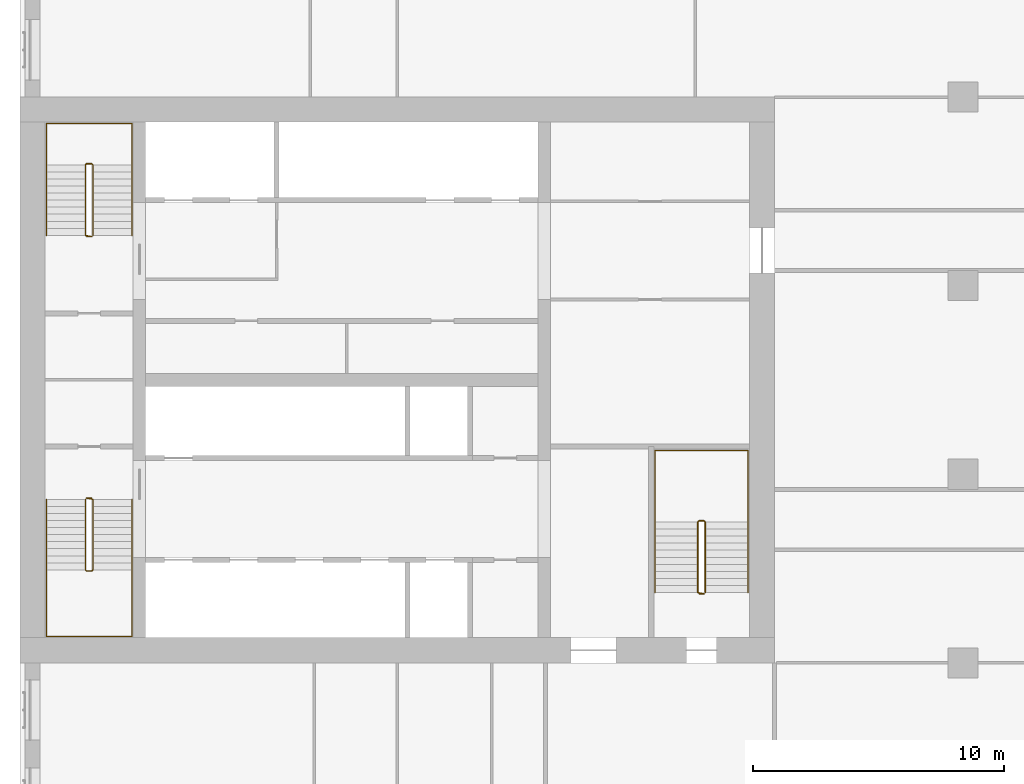
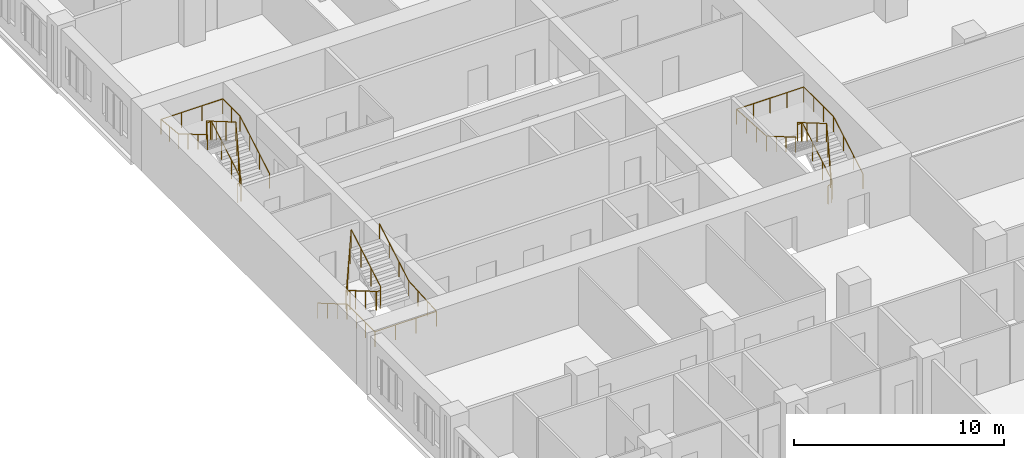
# One storey, part 14 of 14: 6 railings.
"""IFC4 building model written with IfcOpenShell, lengths in metres."""

from ifc_helpers import new_model, si_unit, direction, frame, origin, origin_2d, place, context, subcontext, project, spatial, circle, extrude, material, type_object, element, save


model = new_model("IFC4")

# Units and contexts
model_context = context("Model", 3, precision=1e-05, world=origin(), true_north=direction((0.0, 1.0)))
body_context = subcontext(model_context, "Body", "Model", "MODEL_VIEW")
ifc_project = project(units=[si_unit("LENGTHUNIT", "METRE"), si_unit("AREAUNIT", "SQUARE_METRE"), si_unit("VOLUMEUNIT", "CUBIC_METRE"), si_unit("PLANEANGLEUNIT", "RADIAN"), si_unit("MASSUNIT", "GRAM", prefix="KILO")], contexts=[model_context])

# Site, building, storey
site_placement = place(None, origin())
site = spatial("IfcSite", under=ifc_project, at=site_placement, CompositionType="ELEMENT")
building_placement = place(site_placement, origin())
building = spatial("IfcBuilding", under=site, at=building_placement, Name="Tamorin Gate", CompositionType="ELEMENT")
storey_placement = place(building_placement, frame((0.0, 0.0, 59.199951171875)))
storey = spatial("IfcBuildingStorey", under=building, at=storey_placement, Name="L13", CompositionType="ELEMENT", Elevation=59.199951171875)

# Railings
ifc_material_1 = material(Name="Painted steel balustrade", Category="steel")
railing_type_1 = type_object("IfcRailingType", Name="Stair guard 1100", PredefinedType="GUARDRAIL", material=ifc_material_1)
railing_1_placement = place(storey_placement, frame((32.60009765625, 66.5, 0.16357421875)))
element("IfcRailing", 1, at=railing_1_placement, inside=storey, type_object=railing_type_1, Name="L13 ST1 stair guard 1", PredefinedType="GUARDRAIL", context=body_context, shape_type="SweptSolid", body=[
    extrude(circle(Radius=0.02392578125, at=origin_2d()), frame((0.0, 0.0, 1.076171875), z_axis=(0.0, -0.863360870873, 0.504586966384), x_axis=(1.0, 0.0, 0.0)), (0.0, 0.0, 1.0), 3.2431640625),
    extrude(circle(Radius=0.02392578125, at=origin_2d()), frame((0.0, -2.800048828125, 2.71240234375), z_axis=(0.705375805398, -0.708833529934, 0.0), x_axis=(0.708833529934, 0.705375805398, 0.0)), (0.0, 0.0, 1.0), 0.070556640625),
    extrude(circle(Radius=0.02392578125, at=origin_2d()), frame((0.0498046875, -2.85009765625, 2.71240234375), z_axis=(1.0, 0.0, 0.0), x_axis=(0.0, 1.0, 0.0)), (0.0, 0.0, 1.0), 0.2001953125),
    extrude(circle(Radius=0.02392578125, at=origin_2d()), frame((0.25, -2.85009765625, 2.71240234375), z_axis=(0.279546231943, 0.280916556609, 0.91811752648), x_axis=(-0.708833529934, 0.705375805398, 0.0)), (0.0, 0.0, 1.0), 0.17822265625),
    extrude(circle(Radius=0.02392578125, at=origin_2d()), frame((0.2998046875, -2.800048828125, 2.8759765625), z_axis=(0.0, 0.863360870873, 0.504586966384), x_axis=(-1.0, 0.0, 0.0)), (0.0, 0.0, 1.0), 3.2431640625),
    extrude(circle(Radius=0.02392578125, at=origin_2d()), frame((0.2998046875, 0.0, 4.5126953125), z_axis=(-0.069269067181, 0.013867342551, -0.997501625634), x_axis=(-0.196300278283, -0.98054382908, 0.0)), (0.0, 0.0, 1.0), 3.609130859375),
    extrude(circle(Radius=0.02392578125, at=origin_2d()), frame((0.0498046875, 0.050048828125, 0.91259765625), z_axis=(1.0, 0.0, 0.0), x_axis=(0.0, 1.0, 0.0)), (0.0, 0.0, 1.0), 0.2001953125),
    extrude(circle(Radius=0.02099609375, at=origin_2d()), origin(), (0.0, 0.0, 1.0), 1.052001953125),
    extrude(circle(Radius=0.02099609375, at=origin_2d()), frame((0.0, -0.933349609375, 0.54541015625)), (0.0, 0.0, 1.0), 1.052001953125),
    extrude(circle(Radius=0.02099609375, at=origin_2d()), frame((0.0, -1.86669921875, 1.091064453125)), (0.0, 0.0, 1.0), 1.052001953125),
    extrude(circle(Radius=0.02099609375, at=origin_2d()), frame((0.0, -2.800048828125, 1.636474609375)), (0.0, 0.0, 1.0), 1.052001953125),
    extrude(circle(Radius=0.02099609375, at=origin_2d()), frame((0.0498046875, -2.85009765625, 1.636474609375)), (0.0, 0.0, 1.0), 1.052001953125),
    extrude(circle(Radius=0.02099609375, at=origin_2d()), frame((0.25, -2.85009765625, 1.636474609375)), (0.0, 0.0, 1.0), 1.052001953125),
    extrude(circle(Radius=0.02099609375, at=origin_2d()), frame((0.2998046875, -2.800048828125, 1.800048828125)), (0.0, 0.0, 1.0), 1.052001953125),
    extrude(circle(Radius=0.02099609375, at=origin_2d()), frame((0.2998046875, -1.86669921875, 2.345458984375)), (0.0, 0.0, 1.0), 1.052001953125),
    extrude(circle(Radius=0.02099609375, at=origin_2d()), frame((0.2998046875, -0.933349609375, 2.89111328125)), (0.0, 0.0, 1.0), 1.052001953125),
    extrude(circle(Radius=0.02099609375, at=origin_2d()), frame((0.2998046875, 0.0, 3.4365234375)), (0.0, 0.0, 1.0), 1.052001953125),
    extrude(circle(Radius=0.02099609375, at=origin_2d()), frame((0.2373046875, 0.012451171875, 2.53662109375)), (0.0, 0.0, 1.0), 1.052001953125),
    extrude(circle(Radius=0.02099609375, at=origin_2d()), frame((0.1748046875, 0.02490234375, 1.636474609375)), (0.0, 0.0, 1.0), 1.052001953125),
    extrude(circle(Radius=0.02099609375, at=origin_2d()), frame((0.1123046875, 0.03759765625, 0.736328125)), (0.0, 0.0, 1.0), 1.052001953125),
    extrude(circle(Radius=0.02099609375, at=origin_2d()), frame((0.0498046875, 0.050048828125, -0.16357421875)), (0.0, 0.0, 1.0), 1.052001953125),
    extrude(circle(Radius=0.02099609375, at=origin_2d()), frame((0.25, 0.050048828125, -0.16357421875)), (0.0, 0.0, 1.0), 1.052001953125),
])
railing_2_placement = place(storey_placement, frame((32.89990234375, 77.0, 0.16357421875)))
element("IfcRailing", 2, at=railing_2_placement, inside=storey, type_object=railing_type_1, Name="L13 ST2 stair guard 1", PredefinedType="GUARDRAIL", context=body_context, shape_type="SweptSolid", body=[
    extrude(circle(Radius=0.02392578125, at=origin_2d()), frame((0.0, 0.0, 1.076171875), z_axis=(0.0, 0.863360870873, 0.504586966384), x_axis=(-1.0, 0.0, 0.0)), (0.0, 0.0, 1.0), 3.2431640625),
    extrude(circle(Radius=0.02392578125, at=origin_2d()), frame((0.0, 2.800048828125, 2.71240234375), z_axis=(-0.705375805398, 0.708833529934, 0.0), x_axis=(-0.708833529934, -0.705375805398, 0.0)), (0.0, 0.0, 1.0), 0.070556640625),
    extrude(circle(Radius=0.02392578125, at=origin_2d()), frame((-0.0498046875, 2.85009765625, 2.71240234375), z_axis=(-1.0, 0.0, 0.0), x_axis=(0.0, -1.0, 0.0)), (0.0, 0.0, 1.0), 0.2001953125),
    extrude(circle(Radius=0.02392578125, at=origin_2d()), frame((-0.25, 2.85009765625, 2.71240234375), z_axis=(-0.279546231943, -0.280916556609, 0.91811752648), x_axis=(0.708833529934, -0.705375805398, 0.0)), (0.0, 0.0, 1.0), 0.17822265625),
    extrude(circle(Radius=0.02392578125, at=origin_2d()), frame((-0.2998046875, 2.800048828125, 2.8759765625), z_axis=(0.0, -0.863360870873, 0.504586966384), x_axis=(1.0, 0.0, 0.0)), (0.0, 0.0, 1.0), 3.2431640625),
    extrude(circle(Radius=0.02392578125, at=origin_2d()), frame((-0.2998046875, 0.0, 4.5126953125), z_axis=(0.069269067181, -0.013867342551, -0.997501625634), x_axis=(0.196300278283, 0.98054382908, 0.0)), (0.0, 0.0, 1.0), 3.609130859375),
    extrude(circle(Radius=0.02392578125, at=origin_2d()), frame((-0.0498046875, -0.050048828125, 0.91259765625), z_axis=(-1.0, 0.0, 0.0), x_axis=(0.0, -1.0, 0.0)), (0.0, 0.0, 1.0), 0.2001953125),
    extrude(circle(Radius=0.02099609375, at=origin_2d()), origin(), (0.0, 0.0, 1.0), 1.052001953125),
    extrude(circle(Radius=0.02099609375, at=origin_2d()), frame((0.0, 0.933349609375, 0.54541015625)), (0.0, 0.0, 1.0), 1.052001953125),
    extrude(circle(Radius=0.02099609375, at=origin_2d()), frame((0.0, 1.86669921875, 1.091064453125)), (0.0, 0.0, 1.0), 1.052001953125),
    extrude(circle(Radius=0.02099609375, at=origin_2d()), frame((0.0, 2.800048828125, 1.636474609375)), (0.0, 0.0, 1.0), 1.052001953125),
    extrude(circle(Radius=0.02099609375, at=origin_2d()), frame((-0.0498046875, 2.85009765625, 1.636474609375)), (0.0, 0.0, 1.0), 1.052001953125),
    extrude(circle(Radius=0.02099609375, at=origin_2d()), frame((-0.25, 2.85009765625, 1.636474609375)), (0.0, 0.0, 1.0), 1.052001953125),
    extrude(circle(Radius=0.02099609375, at=origin_2d()), frame((-0.2998046875, 2.800048828125, 1.800048828125)), (0.0, 0.0, 1.0), 1.052001953125),
    extrude(circle(Radius=0.02099609375, at=origin_2d()), frame((-0.2998046875, 1.86669921875, 2.345458984375)), (0.0, 0.0, 1.0), 1.052001953125),
    extrude(circle(Radius=0.02099609375, at=origin_2d()), frame((-0.2998046875, 0.933349609375, 2.89111328125)), (0.0, 0.0, 1.0), 1.052001953125),
    extrude(circle(Radius=0.02099609375, at=origin_2d()), frame((-0.2998046875, 0.0, 3.4365234375)), (0.0, 0.0, 1.0), 1.052001953125),
    extrude(circle(Radius=0.02099609375, at=origin_2d()), frame((-0.2373046875, -0.012451171875, 2.53662109375)), (0.0, 0.0, 1.0), 1.052001953125),
    extrude(circle(Radius=0.02099609375, at=origin_2d()), frame((-0.1748046875, -0.02490234375, 1.636474609375)), (0.0, 0.0, 1.0), 1.052001953125),
    extrude(circle(Radius=0.02099609375, at=origin_2d()), frame((-0.1123046875, -0.03759765625, 0.736328125)), (0.0, 0.0, 1.0), 1.052001953125),
    extrude(circle(Radius=0.02099609375, at=origin_2d()), frame((-0.0498046875, -0.050048828125, -0.16357421875)), (0.0, 0.0, 1.0), 1.052001953125),
    extrude(circle(Radius=0.02099609375, at=origin_2d()), frame((-0.25, -0.050048828125, -0.16357421875)), (0.0, 0.0, 1.0), 1.052001953125),
])
railing_3_placement = place(storey_placement, frame((57.25, 62.800048828125, 0.16357421875)))
element("IfcRailing", 3, at=railing_3_placement, inside=storey, type_object=railing_type_1, Name="L13 ST3 stair guard 1", PredefinedType="GUARDRAIL", context=body_context, shape_type="SweptSolid", body=[
    extrude(circle(Radius=0.02392578125, at=origin_2d()), frame((0.0, 0.0, 1.076171875), z_axis=(0.0, 0.863360870873, 0.504586966384), x_axis=(-1.0, 0.0, 0.0)), (0.0, 0.0, 1.0), 3.2431640625),
    extrude(circle(Radius=0.02392578125, at=origin_2d()), frame((0.0, 2.800048828125, 2.71240234375), z_axis=(-0.708833529934, 0.705375805398, 0.0), x_axis=(-0.705375805398, -0.708833529934, 0.0)), (0.0, 0.0, 1.0), 0.070556640625),
    extrude(circle(Radius=0.02392578125, at=origin_2d()), frame((-0.050048828125, 2.849853515625, 2.71240234375), z_axis=(-1.0, 0.0, 0.0), x_axis=(0.0, -1.0, 0.0)), (0.0, 0.0, 1.0), 0.199951171875),
    extrude(circle(Radius=0.02392578125, at=origin_2d()), frame((-0.25, 2.849853515625, 2.71240234375), z_axis=(-0.280916556609, -0.279546231943, 0.91811752648), x_axis=(0.705375805398, -0.708833529934, 0.0)), (0.0, 0.0, 1.0), 0.17822265625),
    extrude(circle(Radius=0.02392578125, at=origin_2d()), frame((-0.300048828125, 2.800048828125, 2.8759765625), z_axis=(0.0, -0.863360870873, 0.504586966384), x_axis=(1.0, 0.0, 0.0)), (0.0, 0.0, 1.0), 3.2431640625),
    extrude(circle(Radius=0.02392578125, at=origin_2d()), frame((-0.300048828125, 0.0, 4.5126953125), z_axis=(0.069269067181, -0.013867342551, -0.997501625634), x_axis=(0.196300278283, 0.98054382908, 0.0)), (0.0, 0.0, 1.0), 3.609130859375),
    extrude(circle(Radius=0.02392578125, at=origin_2d()), frame((-0.050048828125, -0.050048828125, 0.91259765625), z_axis=(-1.0, 0.0, 0.0), x_axis=(0.0, -1.0, 0.0)), (0.0, 0.0, 1.0), 0.199951171875),
    extrude(circle(Radius=0.02099609375, at=origin_2d()), origin(), (0.0, 0.0, 1.0), 1.052001953125),
    extrude(circle(Radius=0.02099609375, at=origin_2d()), frame((0.0, 0.933349609375, 0.54541015625)), (0.0, 0.0, 1.0), 1.052001953125),
    extrude(circle(Radius=0.02099609375, at=origin_2d()), frame((0.0, 1.86669921875, 1.091064453125)), (0.0, 0.0, 1.0), 1.052001953125),
    extrude(circle(Radius=0.02099609375, at=origin_2d()), frame((0.0, 2.800048828125, 1.636474609375)), (0.0, 0.0, 1.0), 1.052001953125),
    extrude(circle(Radius=0.02099609375, at=origin_2d()), frame((-0.050048828125, 2.849853515625, 1.636474609375)), (0.0, 0.0, 1.0), 1.052001953125),
    extrude(circle(Radius=0.02099609375, at=origin_2d()), frame((-0.25, 2.849853515625, 1.636474609375)), (0.0, 0.0, 1.0), 1.052001953125),
    extrude(circle(Radius=0.02099609375, at=origin_2d()), frame((-0.300048828125, 2.800048828125, 1.800048828125)), (0.0, 0.0, 1.0), 1.052001953125),
    extrude(circle(Radius=0.02099609375, at=origin_2d()), frame((-0.300048828125, 1.86669921875, 2.345458984375)), (0.0, 0.0, 1.0), 1.052001953125),
    extrude(circle(Radius=0.02099609375, at=origin_2d()), frame((-0.300048828125, 0.933349609375, 2.89111328125)), (0.0, 0.0, 1.0), 1.052001953125),
    extrude(circle(Radius=0.02099609375, at=origin_2d()), frame((-0.300048828125, 0.0, 3.4365234375)), (0.0, 0.0, 1.0), 1.052001953125),
    extrude(circle(Radius=0.02099609375, at=origin_2d()), frame((-0.237548828125, -0.012451171875, 2.53662109375)), (0.0, 0.0, 1.0), 1.052001953125),
    extrude(circle(Radius=0.02099609375, at=origin_2d()), frame((-0.175048828125, -0.02490234375, 1.636474609375)), (0.0, 0.0, 1.0), 1.052001953125),
    extrude(circle(Radius=0.02099609375, at=origin_2d()), frame((-0.112548828125, -0.03759765625, 0.736328125)), (0.0, 0.0, 1.0), 1.052001953125),
    extrude(circle(Radius=0.02099609375, at=origin_2d()), frame((-0.050048828125, -0.050048828125, -0.16357421875)), (0.0, 0.0, 1.0), 1.052001953125),
    extrude(circle(Radius=0.02099609375, at=origin_2d()), frame((-0.25, -0.050048828125, -0.16357421875)), (0.0, 0.0, 1.0), 1.052001953125),
])
ifc_material_2 = material(Name="Painted steel handrail", Category="steel")
railing_type_2 = type_object("IfcRailingType", Name="Stair handrail 900", PredefinedType="HANDRAIL", material=ifc_material_2)
railing_4_placement = place(storey_placement, frame((31.050048828125, 66.5, 0.16357421875)))
element("IfcRailing", 4, at=railing_4_placement, inside=storey, type_object=railing_type_2, Name="L13 ST1 stair handrail 1", PredefinedType="HANDRAIL", context=body_context, shape_type="SweptSolid", body=[
    extrude(circle(Radius=0.02392578125, at=origin_2d()), frame((0.0, 0.0, 0.8759765625), z_axis=(0.0, -0.863360870873, 0.504586966384), x_axis=(1.0, 0.0, 0.0)), (0.0, 0.0, 1.0), 3.2431640625),
    extrude(circle(Radius=0.02392578125, at=origin_2d()), frame((0.0, -2.800048828125, 2.51220703125), z_axis=(0.0, -1.0, 0.0), x_axis=(1.0, 0.0, 0.0)), (0.0, 0.0, 1.0), 2.64990234375),
    extrude(circle(Radius=0.02392578125, at=origin_2d()), frame((0.0, -5.449951171875, 2.51220703125), z_axis=(1.0, 0.0, 0.0), x_axis=(0.0, 1.0, 0.0)), (0.0, 0.0, 1.0), 3.39990234375),
    extrude(circle(Radius=0.02392578125, at=origin_2d()), frame((3.39990234375, -5.449951171875, 2.51220703125), z_axis=(0.0, 0.998100230056, 0.061611125312), x_axis=(-1.0, 0.0, 0.0)), (0.0, 0.0, 1.0), 2.655029296875),
    extrude(circle(Radius=0.02392578125, at=origin_2d()), frame((3.39990234375, -2.800048828125, 2.67578125), z_axis=(0.0, 0.863360870873, 0.504586966384), x_axis=(-1.0, 0.0, 0.0)), (0.0, 0.0, 1.0), 3.2431640625),
    extrude(circle(Radius=0.02099609375, at=origin_2d()), origin(), (0.0, 0.0, 1.0), 0.851806640625),
    extrude(circle(Radius=0.02099609375, at=origin_2d()), frame((0.0, -0.933349609375, 0.54541015625)), (0.0, 0.0, 1.0), 0.851806640625),
    extrude(circle(Radius=0.02099609375, at=origin_2d()), frame((0.0, -1.86669921875, 1.091064453125)), (0.0, 0.0, 1.0), 0.851806640625),
    extrude(circle(Radius=0.02099609375, at=origin_2d()), frame((0.0, -2.800048828125, 1.636474609375)), (0.0, 0.0, 1.0), 0.851806640625),
    extrude(circle(Radius=0.02099609375, at=origin_2d()), frame((0.0, -3.683349609375, 1.636474609375)), (0.0, 0.0, 1.0), 0.851806640625),
    extrude(circle(Radius=0.02099609375, at=origin_2d()), frame((0.0, -4.566650390625, 1.636474609375)), (0.0, 0.0, 1.0), 0.851806640625),
    extrude(circle(Radius=0.02099609375, at=origin_2d()), frame((0.0, -5.449951171875, 1.636474609375)), (0.0, 0.0, 1.0), 0.851806640625),
    extrude(circle(Radius=0.02099609375, at=origin_2d()), frame((1.13330078125, -5.449951171875, 1.636474609375)), (0.0, 0.0, 1.0), 0.851806640625),
    extrude(circle(Radius=0.02099609375, at=origin_2d()), frame((2.2666015625, -5.449951171875, 1.636474609375)), (0.0, 0.0, 1.0), 0.851806640625),
    extrude(circle(Radius=0.02099609375, at=origin_2d()), frame((3.39990234375, -5.449951171875, 1.636474609375)), (0.0, 0.0, 1.0), 0.851806640625),
    extrude(circle(Radius=0.02099609375, at=origin_2d()), frame((3.39990234375, -4.566650390625, 1.69091796875)), (0.0, 0.0, 1.0), 0.851806640625),
    extrude(circle(Radius=0.02099609375, at=origin_2d()), frame((3.39990234375, -3.683349609375, 1.74560546875)), (0.0, 0.0, 1.0), 0.851806640625),
    extrude(circle(Radius=0.02099609375, at=origin_2d()), frame((3.39990234375, -2.800048828125, 1.800048828125)), (0.0, 0.0, 1.0), 0.851806640625),
    extrude(circle(Radius=0.02099609375, at=origin_2d()), frame((3.39990234375, -1.86669921875, 2.345458984375)), (0.0, 0.0, 1.0), 0.851806640625),
    extrude(circle(Radius=0.02099609375, at=origin_2d()), frame((3.39990234375, -0.933349609375, 2.89111328125)), (0.0, 0.0, 1.0), 0.851806640625),
    extrude(circle(Radius=0.02099609375, at=origin_2d()), frame((3.39990234375, 0.0, 3.4365234375)), (0.0, 0.0, 1.0), 0.851806640625),
])
railing_5_placement = place(storey_placement, frame((34.449951171875, 77.0, 0.16357421875)))
element("IfcRailing", 5, at=railing_5_placement, inside=storey, type_object=railing_type_2, Name="L13 ST2 stair handrail 1", PredefinedType="HANDRAIL", context=body_context, shape_type="SweptSolid", body=[
    extrude(circle(Radius=0.02392578125, at=origin_2d()), frame((0.0, 0.0, 0.8759765625), z_axis=(0.0, 0.863360870873, 0.504586966384), x_axis=(-1.0, 0.0, 0.0)), (0.0, 0.0, 1.0), 3.2431640625),
    extrude(circle(Radius=0.02392578125, at=origin_2d()), frame((0.0, 2.800048828125, 2.51220703125), z_axis=(0.0, 1.0, 0.0), x_axis=(-1.0, 0.0, 0.0)), (0.0, 0.0, 1.0), 1.64990234375),
    extrude(circle(Radius=0.02392578125, at=origin_2d()), frame((0.0, 4.449951171875, 2.51220703125), z_axis=(-1.0, 0.0, 0.0), x_axis=(0.0, -1.0, 0.0)), (0.0, 0.0, 1.0), 3.39990234375),
    extrude(circle(Radius=0.02392578125, at=origin_2d()), frame((-3.39990234375, 4.449951171875, 2.51220703125), z_axis=(0.0, -0.995121390814, 0.098658084026), x_axis=(1.0, 0.0, 0.0)), (0.0, 0.0, 1.0), 1.657958984375),
    extrude(circle(Radius=0.02392578125, at=origin_2d()), frame((-3.39990234375, 2.800048828125, 2.67578125), z_axis=(0.0, -0.863360870873, 0.504586966384), x_axis=(1.0, 0.0, 0.0)), (0.0, 0.0, 1.0), 3.2431640625),
    extrude(circle(Radius=0.02099609375, at=origin_2d()), origin(), (0.0, 0.0, 1.0), 0.851806640625),
    extrude(circle(Radius=0.02099609375, at=origin_2d()), frame((0.0, 0.933349609375, 0.54541015625)), (0.0, 0.0, 1.0), 0.851806640625),
    extrude(circle(Radius=0.02099609375, at=origin_2d()), frame((0.0, 1.86669921875, 1.091064453125)), (0.0, 0.0, 1.0), 0.851806640625),
    extrude(circle(Radius=0.02099609375, at=origin_2d()), frame((0.0, 2.800048828125, 1.636474609375)), (0.0, 0.0, 1.0), 0.851806640625),
    extrude(circle(Radius=0.02099609375, at=origin_2d()), frame((0.0, 3.625, 1.636474609375)), (0.0, 0.0, 1.0), 0.851806640625),
    extrude(circle(Radius=0.02099609375, at=origin_2d()), frame((0.0, 4.449951171875, 1.636474609375)), (0.0, 0.0, 1.0), 0.851806640625),
    extrude(circle(Radius=0.02099609375, at=origin_2d()), frame((-1.13330078125, 4.449951171875, 1.636474609375)), (0.0, 0.0, 1.0), 0.851806640625),
    extrude(circle(Radius=0.02099609375, at=origin_2d()), frame((-2.2666015625, 4.449951171875, 1.636474609375)), (0.0, 0.0, 1.0), 0.851806640625),
    extrude(circle(Radius=0.02099609375, at=origin_2d()), frame((-3.39990234375, 4.449951171875, 1.636474609375)), (0.0, 0.0, 1.0), 0.851806640625),
    extrude(circle(Radius=0.02099609375, at=origin_2d()), frame((-3.39990234375, 3.625, 1.71826171875)), (0.0, 0.0, 1.0), 0.851806640625),
    extrude(circle(Radius=0.02099609375, at=origin_2d()), frame((-3.39990234375, 2.800048828125, 1.800048828125)), (0.0, 0.0, 1.0), 0.851806640625),
    extrude(circle(Radius=0.02099609375, at=origin_2d()), frame((-3.39990234375, 1.86669921875, 2.345458984375)), (0.0, 0.0, 1.0), 0.851806640625),
    extrude(circle(Radius=0.02099609375, at=origin_2d()), frame((-3.39990234375, 0.933349609375, 2.89111328125)), (0.0, 0.0, 1.0), 0.851806640625),
    extrude(circle(Radius=0.02099609375, at=origin_2d()), frame((-3.39990234375, 0.0, 3.4365234375)), (0.0, 0.0, 1.0), 0.851806640625),
])
railing_6_placement = place(storey_placement, frame((58.949951171875, 62.800048828125, 0.16357421875)))
element("IfcRailing", 6, at=railing_6_placement, inside=storey, type_object=railing_type_2, Name="L13 ST3 stair handrail 1", PredefinedType="HANDRAIL", context=body_context, shape_type="SweptSolid", body=[
    extrude(circle(Radius=0.02392578125, at=origin_2d()), frame((0.0, 0.0, 0.8759765625), z_axis=(0.0, 0.863360870873, 0.504586966384), x_axis=(-1.0, 0.0, 0.0)), (0.0, 0.0, 1.0), 3.2431640625),
    extrude(circle(Radius=0.02392578125, at=origin_2d()), frame((0.0, 2.800048828125, 2.51220703125), z_axis=(0.0, 1.0, 0.0), x_axis=(-1.0, 0.0, 0.0)), (0.0, 0.0, 1.0), 2.849853515625),
    extrude(circle(Radius=0.02392578125, at=origin_2d()), frame((0.0, 5.64990234375, 2.51220703125), z_axis=(-1.0, 0.0, 0.0), x_axis=(0.0, -1.0, 0.0)), (0.0, 0.0, 1.0), 3.699951171875),
    extrude(circle(Radius=0.02392578125, at=origin_2d()), frame((-3.699951171875, 5.64990234375, 2.51220703125), z_axis=(0.0, -0.998356827416, 0.057303098978), x_axis=(1.0, 0.0, 0.0)), (0.0, 0.0, 1.0), 2.8544921875),
    extrude(circle(Radius=0.02392578125, at=origin_2d()), frame((-3.699951171875, 2.800048828125, 2.67578125), z_axis=(0.0, -0.863360870873, 0.504586966384), x_axis=(1.0, 0.0, 0.0)), (0.0, 0.0, 1.0), 3.2431640625),
    extrude(circle(Radius=0.02099609375, at=origin_2d()), origin(), (0.0, 0.0, 1.0), 0.851806640625),
    extrude(circle(Radius=0.02099609375, at=origin_2d()), frame((0.0, 0.933349609375, 0.54541015625)), (0.0, 0.0, 1.0), 0.851806640625),
    extrude(circle(Radius=0.02099609375, at=origin_2d()), frame((0.0, 1.86669921875, 1.091064453125)), (0.0, 0.0, 1.0), 0.851806640625),
    extrude(circle(Radius=0.02099609375, at=origin_2d()), frame((0.0, 2.800048828125, 1.636474609375)), (0.0, 0.0, 1.0), 0.851806640625),
    extrude(circle(Radius=0.02099609375, at=origin_2d()), frame((0.0, 3.75, 1.636474609375)), (0.0, 0.0, 1.0), 0.851806640625),
    extrude(circle(Radius=0.02099609375, at=origin_2d()), frame((0.0, 4.699951171875, 1.636474609375)), (0.0, 0.0, 1.0), 0.851806640625),
    extrude(circle(Radius=0.02099609375, at=origin_2d()), frame((0.0, 5.64990234375, 1.636474609375)), (0.0, 0.0, 1.0), 0.851806640625),
    extrude(circle(Radius=0.02099609375, at=origin_2d()), frame((-0.925048828125, 5.64990234375, 1.636474609375)), (0.0, 0.0, 1.0), 0.851806640625),
    extrude(circle(Radius=0.02099609375, at=origin_2d()), frame((-1.85009765625, 5.64990234375, 1.636474609375)), (0.0, 0.0, 1.0), 0.851806640625),
    extrude(circle(Radius=0.02099609375, at=origin_2d()), frame((-2.77490234375, 5.64990234375, 1.636474609375)), (0.0, 0.0, 1.0), 0.851806640625),
    extrude(circle(Radius=0.02099609375, at=origin_2d()), frame((-3.699951171875, 5.64990234375, 1.636474609375)), (0.0, 0.0, 1.0), 0.851806640625),
    extrude(circle(Radius=0.02099609375, at=origin_2d()), frame((-3.699951171875, 4.699951171875, 1.69091796875)), (0.0, 0.0, 1.0), 0.851806640625),
    extrude(circle(Radius=0.02099609375, at=origin_2d()), frame((-3.699951171875, 3.75, 1.74560546875)), (0.0, 0.0, 1.0), 0.851806640625),
    extrude(circle(Radius=0.02099609375, at=origin_2d()), frame((-3.699951171875, 2.800048828125, 1.800048828125)), (0.0, 0.0, 1.0), 0.851806640625),
    extrude(circle(Radius=0.02099609375, at=origin_2d()), frame((-3.699951171875, 1.86669921875, 2.345458984375)), (0.0, 0.0, 1.0), 0.851806640625),
    extrude(circle(Radius=0.02099609375, at=origin_2d()), frame((-3.699951171875, 0.933349609375, 2.89111328125)), (0.0, 0.0, 1.0), 0.851806640625),
    extrude(circle(Radius=0.02099609375, at=origin_2d()), frame((-3.699951171875, 0.0, 3.4365234375)), (0.0, 0.0, 1.0), 0.851806640625),
])

save(model, "model.ifc")
